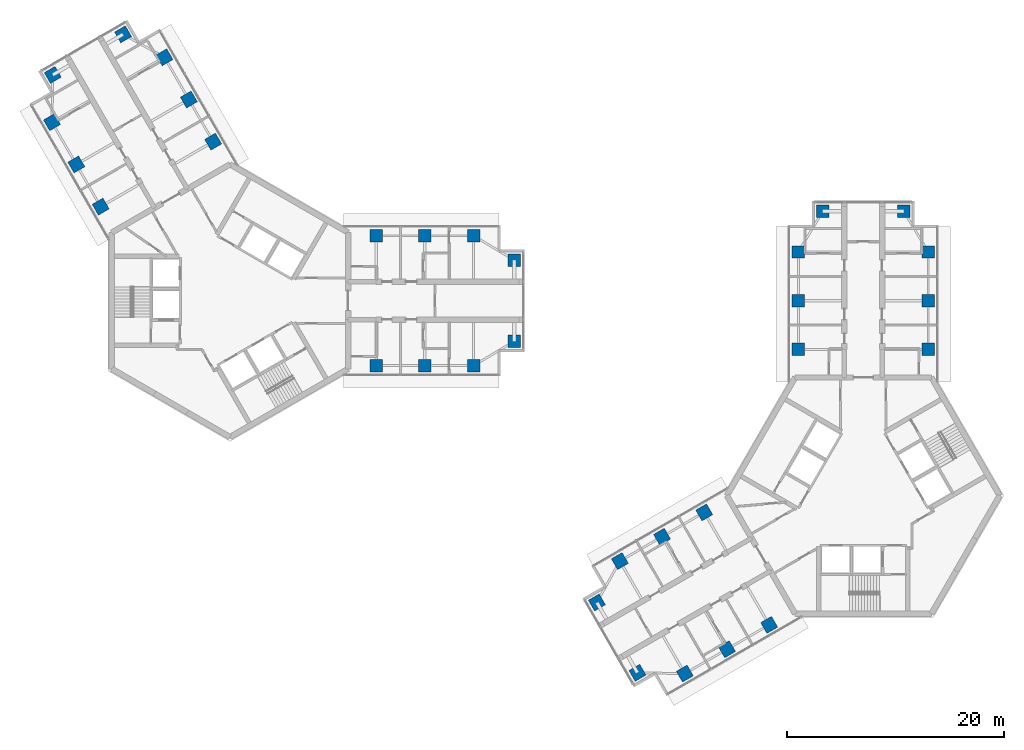
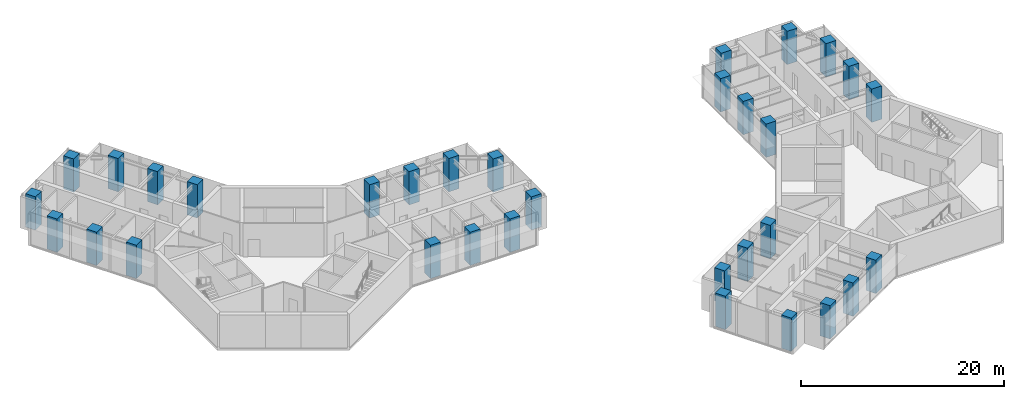
# One storey, part 1 of 17: 32 columns.
"""IFC4 building model written with IfcOpenShell, lengths in metres."""

from ifc_helpers import new_model, si_unit, direction, frame, origin, origin_2d, place, context, subcontext, project, spatial, rectangle, extrude, material, material_profile, profile_set, type_object, element, save


model = new_model("IFC4")

# Units and contexts
model_context = context("Model", 3, precision=1e-05, world=origin(), true_north=direction((0.0, 1.0)))
body_context = subcontext(model_context, "Body", "Model", "MODEL_VIEW")
ifc_project = project(units=[si_unit("LENGTHUNIT", "METRE"), si_unit("AREAUNIT", "SQUARE_METRE"), si_unit("VOLUMEUNIT", "CUBIC_METRE"), si_unit("PLANEANGLEUNIT", "RADIAN"), si_unit("MASSUNIT", "GRAM", prefix="KILO")], contexts=[model_context])

# Site, building, storey
site_placement = place(None, origin())
site = spatial("IfcSite", under=ifc_project, at=site_placement, CompositionType="ELEMENT")
building_placement = place(site_placement, origin())
building = spatial("IfcBuilding", under=site, at=building_placement, Name="Upepo Twin Towers", CompositionType="ELEMENT")
storey_placement = place(building_placement, frame((0.0, 0.0, 206.5)))
storey = spatial("IfcBuildingStorey", under=building, at=storey_placement, Name="L50", CompositionType="ELEMENT", Elevation=206.5)

# Columns
ifc_material = material(Name="Concrete C60/75", Category="concrete")
ifc_material_profile = material_profile(ifc_material, rectangle(XDim=1.14990234375, YDim=1.14990234375, at=origin_2d()), Name="RC 1150x1150")
ifc_profile_set = profile_set([ifc_material_profile], Name="Concrete C60/75")
column_type = type_object("IfcColumnType", Name="Tower column RC 1150x1150", PredefinedType="COLUMN", material=ifc_profile_set)
for number, where, z_axis, x_axis, name in (
    (1, (13.5, 6.0, 0.0), (0.0, 0.0, 1.0), (1.0, 0.0, 0.0), "T1 column AL135"),
    (2, (13.5, -6.0, 0.0), (0.0, 0.0, 1.0), (1.0, 0.0, 0.0), "T1 column AR135"),
    (3, (18.0, 6.0, 0.0), (0.0, 0.0, 1.0), (1.0, 0.0, 0.0), "T1 column AL180"),
    (4, (18.0, -6.0, 0.0), (0.0, 0.0, 1.0), (1.0, 0.0, 0.0), "T1 column AR180"),
    (5, (22.5, 6.0, 0.0), (0.0, 0.0, 1.0), (1.0, 0.0, 0.0), "T1 column AL225"),
    (6, (22.5, -6.0, 0.0), (0.0, 0.0, 1.0), (1.0, 0.0, 0.0), "T1 column AR225"),
    (7, (26.25, 3.75, 0.0), (0.0, 0.0, 1.0), (1.0, 0.0, 0.0), "T1 column ALN"),
    (8, (26.25, -3.75, 0.0), (0.0, 0.0, 1.0), (1.0, 0.0, 0.0), "T1 column ARN"),
    (9, (-11.946044921875, 8.69140625, 0.0), (0.0, 0.0, 1.0), (0.866025403784, 0.5, 0.0), "T1 column BL135"),
    (10, (-1.553955078125, 14.69140625, 0.0), (0.0, 0.0, 1.0), (0.866025403784, 0.5, 0.0), "T1 column BR135"),
    (11, (-14.196044921875, 12.58837890625, 0.0), (0.0, 0.0, 1.0), (0.866025403784, 0.5, 0.0), "T1 column BL180"),
    (12, (-3.803955078125, 18.58837890625, 0.0), (0.0, 0.0, 1.0), (0.866025403784, 0.5, 0.0), "T1 column BR180"),
    (13, (-16.446044921875, 16.485595703125, 0.0), (0.0, 0.0, 1.0), (0.866025403784, 0.5, 0.0), "T1 column BL225"),
    (14, (-6.053955078125, 22.485595703125, 0.0), (0.0, 0.0, 1.0), (0.866025403784, 0.5, 0.0), "T1 column BR225"),
    (15, (-16.37255859375, 20.858154296875, 0.0), (0.0, 0.0, 1.0), (0.866025403784, 0.5, 0.0), "T1 column BLN"),
    (16, (-9.87744140625, 24.608154296875, 0.0), (0.0, 0.0, 1.0), (0.866025403784, 0.5, 0.0), "T1 column BRN"),
    (17, (52.5, -4.5, 0.0), (0.0, 0.0, 1.0), (1.0, 0.0, 0.0), "T2 column AL135"),
    (18, (64.5, -4.5, 0.0), (0.0, 0.0, 1.0), (1.0, 0.0, 0.0), "T2 column AR135"),
    (19, (52.5, 0.0, 0.0), (0.0, 0.0, 1.0), (1.0, 0.0, 0.0), "T2 column AL180"),
    (20, (64.5, 0.0, 0.0), (0.0, 0.0, 1.0), (1.0, 0.0, 0.0), "T2 column AR180"),
    (21, (52.5, 4.5, 0.0), (0.0, 0.0, 1.0), (1.0, 0.0, 0.0), "T2 column AL225"),
    (22, (64.5, 4.5, 0.0), (0.0, 0.0, 1.0), (1.0, 0.0, 0.0), "T2 column AR225"),
    (23, (54.75, 8.25, 0.0), (0.0, 0.0, 1.0), (1.0, 0.0, 0.0), "T2 column ALN"),
    (24, (62.25, 8.25, 0.0), (0.0, 0.0, 1.0), (1.0, 0.0, 0.0), "T2 column ARN"),
    (25, (49.80859375, -29.946044921875, 0.0), (0.0, 0.0, 1.0), (0.866025403784, 0.5, 0.0), "T2 column BL135"),
    (26, (43.80859375, -19.553955078125, 0.0), (0.0, 0.0, 1.0), (0.866025403784, 0.5, 0.0), "T2 column BR135"),
    (27, (45.91162109375, -32.196044921875, 0.0), (0.0, 0.0, 1.0), (0.866025403784, 0.5, 0.0), "T2 column BL180"),
    (28, (39.91162109375, -21.803955078125, 0.0), (0.0, 0.0, 1.0), (0.866025403784, 0.5, 0.0), "T2 column BR180"),
    (29, (42.014404296875, -34.446044921875, 0.0), (0.0, 0.0, 1.0), (0.866025403784, 0.5, 0.0), "T2 column BL225"),
    (30, (36.014404296875, -24.053955078125, 0.0), (0.0, 0.0, 1.0), (0.866025403784, 0.5, 0.0), "T2 column BR225"),
    (31, (37.641845703125, -34.37255859375, 0.0), (0.0, 0.0, 1.0), (0.866025403784, 0.5, 0.0), "T2 column BLN"),
    (32, (33.891845703125, -27.87744140625, 0.0), (0.0, 0.0, 1.0), (0.866025403784, 0.5, 0.0), "T2 column BRN"),
):
    element("IfcColumn", number, at=place(storey_placement, frame(where, z_axis=z_axis, x_axis=x_axis)), inside=storey, type_object=column_type, Name=name, PredefinedType="COLUMN", context=body_context, shape_type="SweptSolid", body=[
        extrude(rectangle(XDim=1.14990234375, YDim=1.14990234375, at=origin_2d()), origin(), (0.0, 0.0, 1.0), 4.0),
    ])

save(model, "model.ifc")
